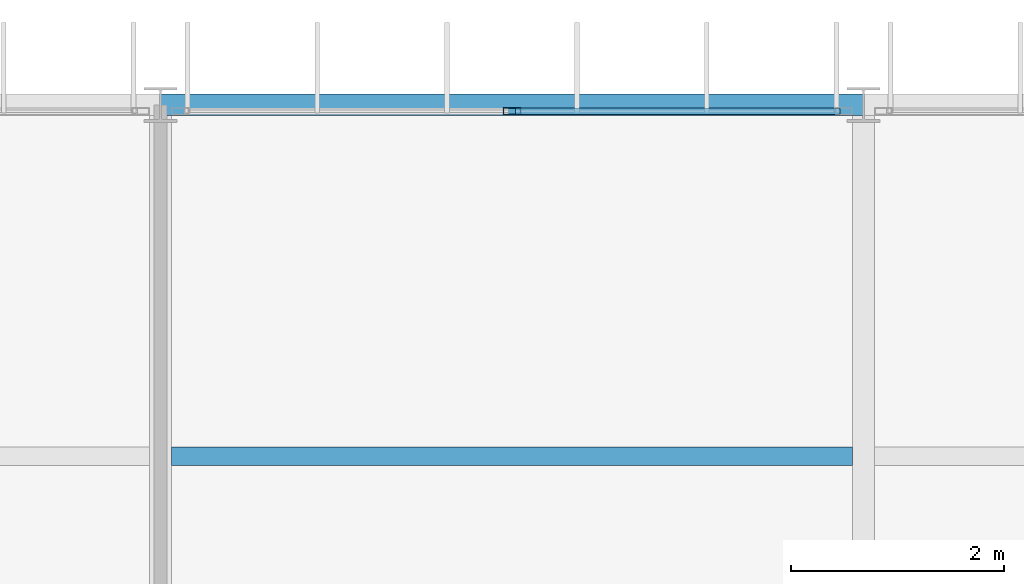
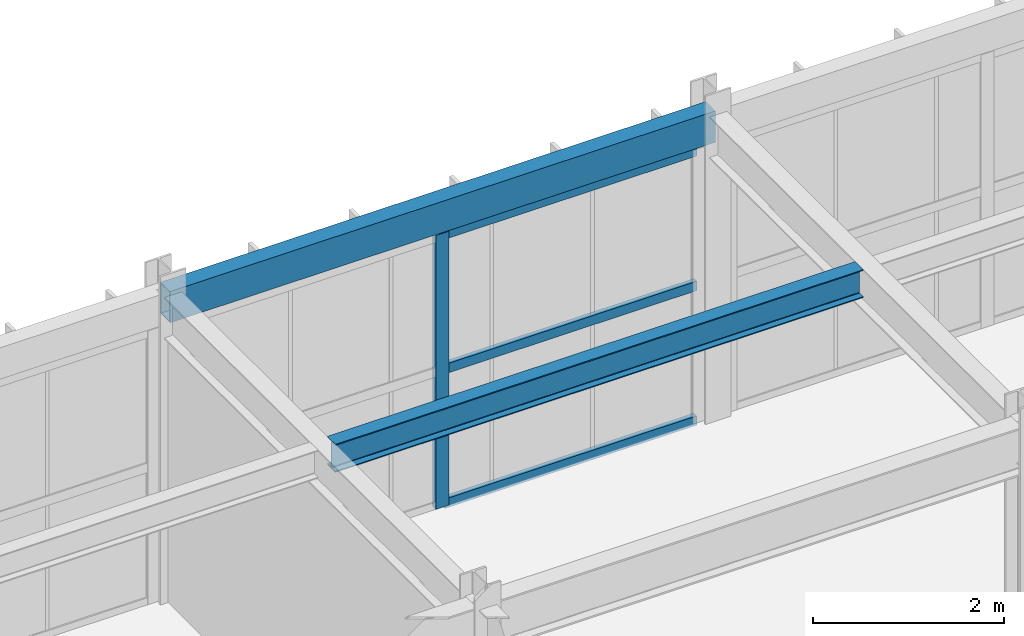
# One storey, part 54 of 130: 4 members, 2 beams, 1 element without a shape of its own.
"""IFC4 building model written with IfcOpenShell, lengths in metres."""

from ifc_helpers import new_model, si_unit, direction, frame, origin, origin_2d, place, context, subcontext, project, spatial, hollow_rectangle, i_section, extrude, material, material_profile, profile_set, type_object, element, aggregate, save


model = new_model("IFC4")

# Units and contexts
model_context = context("Model", 3, precision=1e-05, world=origin(), true_north=direction((0.0, 1.0)))
body_context = subcontext(model_context, "Body", "Model", "MODEL_VIEW")
ifc_project = project(units=[si_unit("LENGTHUNIT", "METRE"), si_unit("AREAUNIT", "SQUARE_METRE"), si_unit("VOLUMEUNIT", "CUBIC_METRE"), si_unit("PLANEANGLEUNIT", "RADIAN"), si_unit("MASSUNIT", "GRAM", prefix="KILO")], contexts=[model_context])

# Site, building, storey
site_placement = place(None, origin())
site = spatial("IfcSite", under=ifc_project, at=site_placement, CompositionType="ELEMENT")
building_placement = place(site_placement, origin())
building = spatial("IfcBuilding", under=site, at=building_placement, Name="Karori Crest Natural Sciences Institute", CompositionType="ELEMENT")
storey_placement = place(building_placement, frame((0.0, 0.0, 17.5)))
storey = spatial("IfcBuildingStorey", under=building, at=storey_placement, Name="L04", CompositionType="ELEMENT", Elevation=17.5)

# Beams
ifc_material_1 = material(Name="Structural steel AS/NZS 3679.1 Grade 350", Category="steel")
ifc_material_profile_1 = material_profile(ifc_material_1, i_section(OverallWidth=0.172119140625, OverallDepth=0.35888671875, WebThickness=0.008056640625, FlangeThickness=0.012939453125, FilletRadius=0.010986328125, at=origin_2d()), Name="360UB56.7")
ifc_profile_set_1 = profile_set([ifc_material_profile_1], Name="Structural steel AS/NZS 3679.1 Grade 350")
beam_type_1 = type_object("IfcBeamType", Name="BT-08", PredefinedType="BEAM", material=ifc_profile_set_1)
beam_1_placement = place(storey_placement, frame((123.50439453125, 17.300048828125, 3.740478515625), z_axis=(1.0, 0.0, 0.0), x_axis=(0.0, 1.0, 0.0)))
element("IfcBeam", 1, at=beam_1_placement, inside=storey, type_object=beam_type_1, Name="Beam B-2439", PredefinedType="BEAM", context=body_context, shape_type="SweptSolid", body=[
    extrude(i_section(OverallWidth=0.172119140625, OverallDepth=0.35888671875, WebThickness=0.008056640625, FlangeThickness=0.012939453125, FilletRadius=0.010986328125, at=origin_2d()), origin(), (0.0, 0.0, 1.0), 6.39111328125),
])
ifc_material_2 = material(Name="Hollow structural steel AS/NZS 1163 Grade C350", Category="steel")
ifc_material_profile_2 = material_profile(ifc_material_2, hollow_rectangle(XDim=0.199951171875, YDim=0.39990234375, WallThickness=0.012451171875, at=origin_2d()), Name="RHS400x200x12.5")
ifc_profile_set_2 = profile_set([ifc_material_profile_2], Name="Hollow structural steel AS/NZS 1163 Grade C350")
beam_type_2 = type_object("IfcBeamType", Name="BT-14", PredefinedType="SPANDREL", material=ifc_profile_set_2)
beam_2_placement = place(storey_placement, frame((123.39990234375, 20.60009765625, 3.719970703125), z_axis=(1.0, 0.0, 0.0), x_axis=(0.0, 1.0, 0.0)))
element("IfcBeam", 2, at=beam_2_placement, inside=storey, type_object=beam_type_2, Name="Beam B-2395", PredefinedType="SPANDREL", context=body_context, shape_type="SweptSolid", body=[
    extrude(hollow_rectangle(XDim=0.199951171875, YDim=0.39990234375, WallThickness=0.012451171875, at=origin_2d()), origin(), (0.0, 0.0, 1.0), 6.60009765625),
])

# Curtain wall, members
ifc_material_3 = material(Name="Anodised architectural aluminium 6063-T6", Category="aluminium")
curtain_wall_type = type_object("IfcCurtainWallType", Name="CWT-20", PredefinedType="NOTDEFINED", material=ifc_material_3)
curtain_wall_placement = place(storey_placement, origin())
curtain_wall = element("IfcCurtainWall", 3, at=curtain_wall_placement, inside=storey, type_object=curtain_wall_type, Name="Curtain wall CW-0334", PredefinedType="NOTDEFINED")
ifc_material_profile_3 = material_profile(ifc_material_3, hollow_rectangle(XDim=0.06494140625, YDim=0.159912109375, WallThickness=0.00390625, at=origin_2d()), Name="CWM160x65x4")
ifc_profile_set_3 = profile_set([ifc_material_profile_3], Name="Anodised architectural aluminium 6063-T6")
member_type_1 = type_object("IfcMemberType", Name="CWM-01", PredefinedType="MULLION", material=ifc_profile_set_3)
member_1_placement = place(storey_placement, frame((126.699951171875, 20.5400390625, 0.0), z_axis=(0.0, 0.0, 1.0), x_axis=(0.0, 1.0, 0.0)))
member_1 = element("IfcMember", 4, at=member_1_placement, type_object=member_type_1, Name="CW-0334 mullion 2", PredefinedType="MULLION", context=body_context, shape_type="SweptSolid", body=[
    extrude(hollow_rectangle(XDim=0.06494140625, YDim=0.159912109375, WallThickness=0.00390625, at=origin_2d()), origin(), (0.0, 0.0, 1.0), 3.5048828125),
])
ifc_material_profile_4 = material_profile(ifc_material_3, hollow_rectangle(XDim=0.06005859375, YDim=0.1201171875, WallThickness=0.00390625, at=origin_2d()), Name="CWT120x60x4")
ifc_profile_set_4 = profile_set([ifc_material_profile_4], Name="Anodised architectural aluminium 6063-T6")
member_type_2 = type_object("IfcMemberType", Name="CWT-TR1", PredefinedType="USERDEFINED", material=ifc_profile_set_4)
member_2_placement = place(storey_placement, frame((126.732421875, 20.5400390625, 0.030029296875), z_axis=(1.0, 0.0, 0.0), x_axis=(0.0, 1.0, 0.0)))
member_2 = element("IfcMember", 5, at=member_2_placement, type_object=member_type_2, Name="CW-0334 transom 2.1", ObjectType="TRANSOM", PredefinedType="USERDEFINED", context=body_context, shape_type="SweptSolid", body=[
    extrude(hollow_rectangle(XDim=0.06005859375, YDim=0.1201171875, WallThickness=0.00390625, at=origin_2d()), origin(), (0.0, 0.0, 1.0), 3.049072265625),
])
member_3_placement = place(storey_placement, frame((126.732421875, 20.5400390625, 1.75244140625), z_axis=(1.0, 0.0, 0.0), x_axis=(0.0, 1.0, 0.0)))
member_3 = element("IfcMember", 6, at=member_3_placement, type_object=member_type_2, Name="CW-0334 transom 2.2", ObjectType="TRANSOM", PredefinedType="USERDEFINED", context=body_context, shape_type="SweptSolid", body=[
    extrude(hollow_rectangle(XDim=0.06005859375, YDim=0.1201171875, WallThickness=0.00390625, at=origin_2d()), origin(), (0.0, 0.0, 1.0), 3.049072265625),
])
member_4_placement = place(storey_placement, frame((126.732421875, 20.5400390625, 3.47509765625), z_axis=(1.0, 0.0, 0.0), x_axis=(0.0, 1.0, 0.0)))
member_4 = element("IfcMember", 7, at=member_4_placement, type_object=member_type_2, Name="CW-0334 transom 2.3", ObjectType="TRANSOM", PredefinedType="USERDEFINED", context=body_context, shape_type="SweptSolid", body=[
    extrude(hollow_rectangle(XDim=0.06005859375, YDim=0.1201171875, WallThickness=0.00390625, at=origin_2d()), origin(), (0.0, 0.0, 1.0), 3.049072265625),
])
aggregate(curtain_wall, [member_1, member_2, member_3, member_4])

save(model, "model.ifc")
